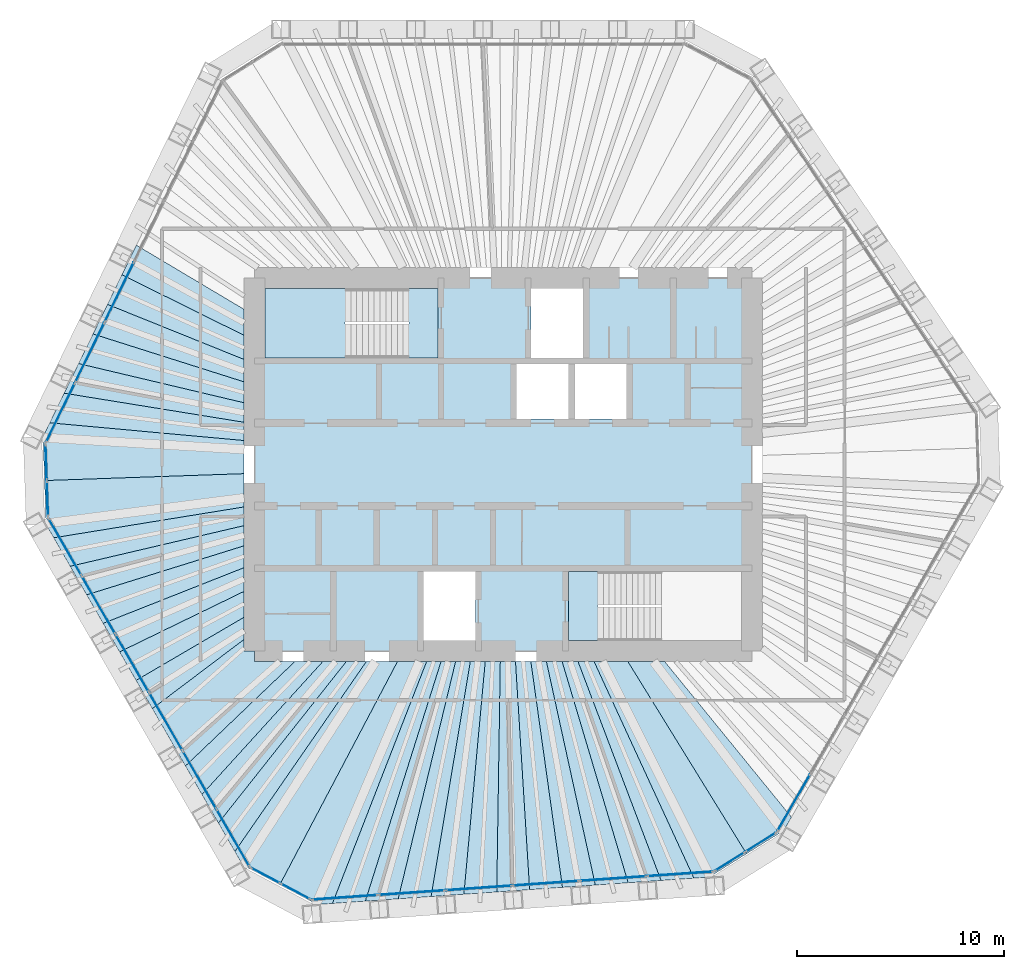
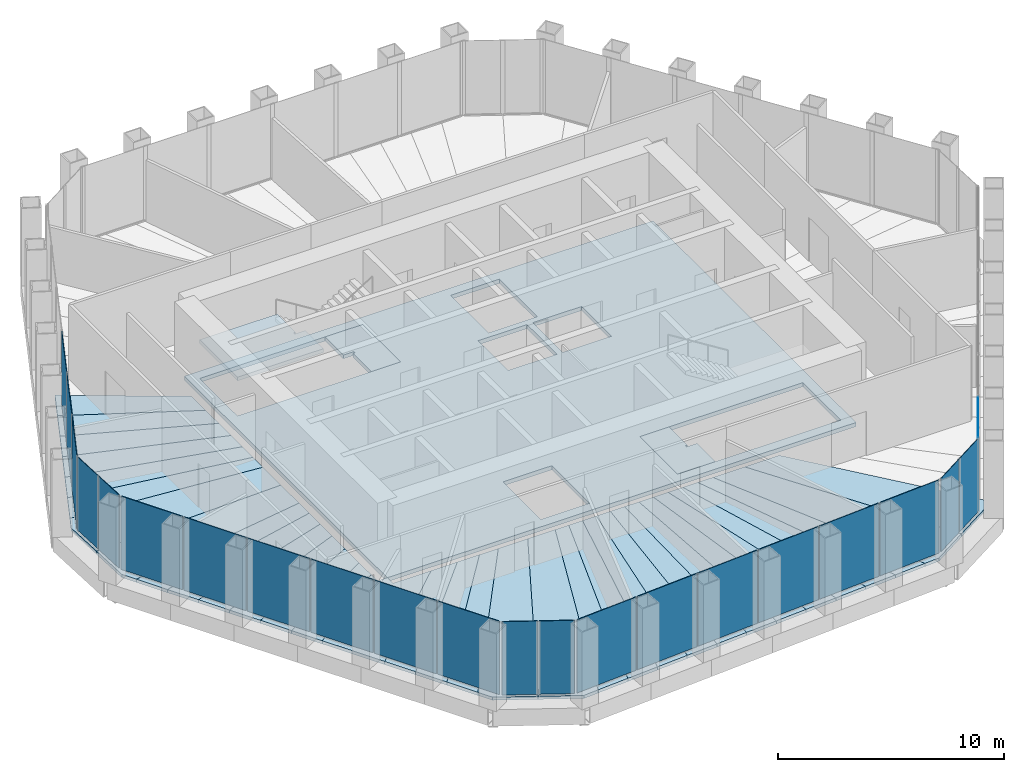
# One storey, part 9 of 14: 37 slabs, 22 plates, 9 elements without a shape of their own.
"""IFC4 building model written with IfcOpenShell, lengths in metres."""

import ifcopenshell
import ifcopenshell.guid

model = None  # the IFC model being written
_history = None  # IfcOwnerHistory: only IFC2X3 demands one
_inside = {}  # id of a spatial element -> (the spatial element, [elements in it])
_under = {}  # id of a project, library or spatial element -> (it, [spatial elements below it])
_declared = {}  # id of a project -> (the project, [libraries it declares])
_typed = {}  # id of a type object -> (the type object, [elements of that type])
_made_of = {}  # id of a material, layer set ... -> (it, [elements and type objects made of it])


def new_model(schema):
    """Start an empty IFC model of exactly this schema.

    Asked for "IFC4X3", IfcOpenShell would pick the latest addendum, in which some entities
    have other attributes; the version numbers below select the first issue.
    IFC2X3 requires an IfcOwnerHistory on every rooted entity: one is made here for all.
    """
    global model, _history
    if schema == "IFC4X3":
        model = ifcopenshell.file(schema_version=(4, 3, 0, 0))
    else:
        model = ifcopenshell.file(schema=schema)
    _inside.clear()
    _under.clear()
    _declared.clear()
    _typed.clear()
    _made_of.clear()
    _history = None
    if model.schema == "IFC2X3":
        org = make("IfcOrganization", Name="unknown")
        user = make(
            "IfcPersonAndOrganization",
            ThePerson=make("IfcPerson", FamilyName="unknown"),
            TheOrganization=org,
        )
        app = make(
            "IfcApplication",
            ApplicationDeveloper=org,
            Version="unknown",
            ApplicationFullName="unknown",
            ApplicationIdentifier="unknown",
        )
        _history = make(
            "IfcOwnerHistory",
            OwningUser=user,
            OwningApplication=app,
            ChangeAction="ADDED",
            CreationDate=0,
        )
    return model


def make(cls, **values):
    """One entity of the class cls with the attributes given. An attribute that is None is left unset."""
    return model.create_entity(
        cls, **{name: value for name, value in values.items() if value is not None}
    )


def rooted(cls, **values):
    """An entity with a GlobalId (a new one), such as an element, a storey or a relation."""
    return make(cls, GlobalId=ifcopenshell.guid.new(), OwnerHistory=_history, **values)


def si_unit(unit_type, name, prefix=None):
    """IfcSIUnit, for example si_unit("LENGTHUNIT", "METRE", prefix="MILLI")."""
    return make("IfcSIUnit", UnitType=unit_type, Prefix=prefix, Name=name)


def assignment(units):
    """IfcUnitAssignment: the units of a project."""
    return None if units is None else make("IfcUnitAssignment", Units=units)


def point(xyz):
    """IfcCartesianPoint."""
    return None if xyz is None else make("IfcCartesianPoint", Coordinates=xyz)


def direction(xyz):
    """IfcDirection."""
    return None if xyz is None else make("IfcDirection", DirectionRatios=xyz)


def frame(location, z_axis=None, x_axis=None):
    """IfcAxis2Placement3D, a coordinate frame: its origin and axes. An axis left out is left unset."""
    return make(
        "IfcAxis2Placement3D",
        Location=point(location),
        Axis=direction(z_axis),
        RefDirection=direction(x_axis),
    )


def frame_2d(location, x_axis=None):
    """IfcAxis2Placement2D, a coordinate frame in the plane: its origin and x axis."""
    return make(
        "IfcAxis2Placement2D", Location=point(location), RefDirection=direction(x_axis)
    )


def origin():
    """The frame at (0, 0, 0) with its axes left unset."""
    return frame((0.0, 0.0, 0.0))


def origin_2d():
    """The frame at (0, 0) in the plane with its x axis left unset."""
    return frame_2d((0.0, 0.0))


def place(relative_to, where):
    """IfcLocalPlacement: puts the frame where relative to a parent placement (None: the world)."""
    return make(
        "IfcLocalPlacement", PlacementRelTo=relative_to, RelativePlacement=where
    )


def context(
    kind, dimensions, precision=None, world=None, true_north=None, identifier=None
):
    """IfcGeometricRepresentationContext, for example the 3D "Model" context."""
    return make(
        "IfcGeometricRepresentationContext",
        ContextIdentifier=identifier,
        ContextType=kind,
        CoordinateSpaceDimension=dimensions,
        Precision=precision,
        WorldCoordinateSystem=world,
        TrueNorth=true_north,
    )


def subcontext(parent, identifier, kind, view, scale=None):
    """IfcGeometricRepresentationSubContext, for example "Body" below "Model"."""
    return make(
        "IfcGeometricRepresentationSubContext",
        ContextIdentifier=identifier,
        ContextType=kind,
        ParentContext=parent,
        TargetScale=scale,
        TargetView=view,
    )


def project(units=None, contexts=None):
    """IfcProject with its units and contexts."""
    return rooted(
        "IfcProject",
        Name="project",
        RepresentationContexts=contexts,
        UnitsInContext=assignment(units),
    )


def spatial(cls, under=None, at=None, **own):
    """A site, building, storey or space (cls), placed at a placement, below another one or the project."""
    s = rooted(cls, ObjectPlacement=at, **own)
    if under is not None:
        _under.setdefault(under.id(), (under, []))[1].append(s)
    return s


def polyline(points):
    """IfcPolyline through the points."""
    return make("IfcPolyline", Points=[point(p) for p in points])


def profile(cls, at=None, kind="AREA", **sizes):
    """A parametric profile (cls). Its sizes go by their IFC names, for example OverallWidth=200.0."""
    return make(cls, ProfileType=kind, Position=at, **sizes)


def rectangle(**sizes):
    """IfcRectangleProfileDef."""
    return profile("IfcRectangleProfileDef", **sizes)


def outline(outer, holes=None, kind="AREA"):
    """IfcArbitraryClosedProfileDef: a profile drawn as a closed curve; with holes, ...WithVoids."""
    if holes is None:
        return make("IfcArbitraryClosedProfileDef", ProfileType=kind, OuterCurve=outer)
    return make(
        "IfcArbitraryProfileDefWithVoids",
        ProfileType=kind,
        OuterCurve=outer,
        InnerCurves=holes,
    )


def extrude(swept, where, along, depth):
    """IfcExtrudedAreaSolid: the profile swept, set in the frame where, extruded along a direction by depth."""
    return make(
        "IfcExtrudedAreaSolid",
        SweptArea=swept,
        Position=where,
        ExtrudedDirection=direction(along),
        Depth=depth,
    )


def shape(context_of_items, identifier, shape_type, items):
    """IfcShapeRepresentation: the items that make up one representation, for example the "Body"."""
    return make(
        "IfcShapeRepresentation",
        ContextOfItems=context_of_items,
        RepresentationIdentifier=identifier,
        RepresentationType=shape_type,
        Items=items,
    )


def material(Name=None, Category=None):
    """IfcMaterial."""
    return make("IfcMaterial", Name=Name, Category=Category)


def layer(
    of_material, thickness, ventilated=None, Name=None, Category=None, Priority=None
):
    """IfcMaterialLayer: one layer of a wall or slab, of a material (None: an air gap)."""
    return make(
        "IfcMaterialLayer",
        Material=of_material,
        LayerThickness=thickness,
        IsVentilated=ventilated,
        Name=Name,
        Category=Category,
        Priority=Priority,
    )


def layer_set(layers, Name=None):
    """IfcMaterialLayerSet."""
    return make("IfcMaterialLayerSet", MaterialLayers=layers, LayerSetName=Name)


def made_of(thing, what):
    """Note that an element or type object is made of a material, layer set ...; save() writes the relation."""
    if what is not None:
        _made_of.setdefault(what.id(), (what, []))[1].append(thing)
    return thing


def type_object(cls, material=None, **own):
    """A type object (cls), such as IfcWallType, which elements share."""
    return made_of(rooted(cls, **own), material)


def element(
    cls,
    number,
    at=None,
    inside=None,
    cuts=None,
    type_object=None,
    material=None,
    context=None,
    identifier="Body",
    shape_type=None,
    held_by="IfcProductDefinitionShape",
    body=None,
    shapes=None,
    **own,
):
    """One element of the class cls, such as IfcWall. Its Tag is "e" and its number.

    at: its placement. inside: the storey or other place that contains it. cuts: it is an
    opening in that element (IfcRelVoidsElement). A single representation is given by context,
    identifier, shape_type and body (its items); several are given by shapes. held_by: the class
    of the entity that holds the representations. save() writes the other relations.
    """
    e = rooted(cls, Tag="e%d" % number, ObjectPlacement=at, **own)
    if body is not None:
        shapes = [shape(context, identifier, shape_type, body)]
    if shapes is not None:
        e.Representation = make(held_by, Representations=shapes)
    if inside is not None:
        _inside.setdefault(inside.id(), (inside, []))[1].append(e)
    if cuts is not None:
        rooted(
            "IfcRelVoidsElement", RelatingBuildingElement=cuts, RelatedOpeningElement=e
        )
    if type_object is not None:
        _typed.setdefault(type_object.id(), (type_object, []))[1].append(e)
    return made_of(e, material)


def aggregate(whole, parts):
    """IfcRelAggregates: a whole, such as a stair, and the parts it consists of."""
    return rooted("IfcRelAggregates", RelatingObject=whole, RelatedObjects=parts)


def save(model, path):
    """Write the relations noted so far, then the file.

    IfcRelAggregates (storeys below a building ...), IfcRelContainedInSpatialStructure (elements
    in a storey), IfcRelDefinesByType, IfcRelAssociatesMaterial and IfcRelDeclares: one each for
    every whole, place, type object, material and project.
    """
    for whole, parts in _under.values():
        aggregate(whole, parts)
    for where, things in _inside.values():
        rooted(
            "IfcRelContainedInSpatialStructure",
            RelatedElements=things,
            RelatingStructure=where,
        )
    for kind, things in _typed.values():
        rooted("IfcRelDefinesByType", RelatedObjects=things, RelatingType=kind)
    for what, things in _made_of.values():
        rooted("IfcRelAssociatesMaterial", RelatedObjects=things, RelatingMaterial=what)
    for by, libraries in _declared.values():
        rooted("IfcRelDeclares", RelatingContext=by, RelatedDefinitions=libraries)
    model.write(path)


model = new_model("IFC4")

# Units and contexts
model_context = context("Model", 3, precision=1e-05, world=origin(), true_north=direction((0.0, 1.0)))
body_context = subcontext(model_context, "Body", "Model", "MODEL_VIEW")
ifc_project = project(units=[si_unit("LENGTHUNIT", "METRE"), si_unit("AREAUNIT", "SQUARE_METRE"), si_unit("VOLUMEUNIT", "CUBIC_METRE"), si_unit("PLANEANGLEUNIT", "RADIAN"), si_unit("MASSUNIT", "GRAM", prefix="KILO")], contexts=[model_context])

# Site, building, storey
site_placement = place(None, origin())
site = spatial("IfcSite", under=ifc_project, at=site_placement, CompositionType="ELEMENT")
building_placement = place(site_placement, origin())
building = spatial("IfcBuilding", under=site, at=building_placement, Name="Qingtian Harvest Tower", CompositionType="ELEMENT")
storey_placement = place(building_placement, frame((0.0, 0.0, 274.60009765625)))
storey = spatial("IfcBuildingStorey", under=building, at=storey_placement, Name="L60", CompositionType="ELEMENT", Elevation=274.60009765625)

# Slabs
ifc_material_1 = material(Name="Concrete fc' 35 MPa", Category="concrete")
ifc_layer_1 = layer(ifc_material_1, 0.169921875)
ifc_layer_set_1 = layer_set([ifc_layer_1], Name="Composite floor slab FS17 170")
slab_type_1 = type_object("IfcSlabType", Name="Composite floor slab FS17 170", PredefinedType="FLOOR", material=ifc_layer_set_1)
slab_1_placement = place(storey_placement, frame((0.0, 0.0, -0.170166015625)))
element("IfcSlab", 1, at=slab_1_placement, inside=storey, type_object=slab_type_1, Name="Floor slab L60 panel D01", PredefinedType="FLOOR", context=body_context, shape_type="SweptSolid", body=[
    extrude(outline(polyline([(-22.1396484375, -0.7734375), (-12.5, -0.4404296875), (-12.5, -2.044921875), (-21.693603515625, -3.53564453125), (-22.06591796875, -2.890869140625), (-22.1396484375, -0.7734375)])), origin(), (0.0, 0.0, 1.0), 0.170166015625),
])
slab_2_placement = place(storey_placement, frame((0.0, 0.0, -0.170166015625)))
element("IfcSlab", 2, at=slab_2_placement, inside=storey, type_object=slab_type_1, Name="Floor slab L60 panel D02", PredefinedType="FLOOR", context=body_context, shape_type="SweptSolid", body=[
    extrude(outline(polyline([(-12.5, -2.94677734375), (-20.898681640625, -4.912109375), (-21.693603515625, -3.53564453125), (-12.5, -2.044921875), (-12.5, -2.94677734375)])), origin(), (0.0, 0.0, 1.0), 0.170166015625),
])
slab_3_placement = place(storey_placement, frame((0.0, 0.0, -0.170166015625)))
element("IfcSlab", 3, at=slab_3_placement, inside=storey, type_object=slab_type_1, Name="Floor slab L60 panel D03", PredefinedType="FLOOR", context=body_context, shape_type="SweptSolid", body=[
    extrude(outline(polyline([(-12.5, -3.919921875), (-20.10400390625, -6.288818359375), (-20.898681640625, -4.912109375), (-12.5, -2.94677734375), (-12.5, -3.919921875)])), origin(), (0.0, 0.0, 1.0), 0.170166015625),
])
slab_4_placement = place(storey_placement, frame((0.0, 0.0, -0.170166015625)))
element("IfcSlab", 4, at=slab_4_placement, inside=storey, type_object=slab_type_1, Name="Floor slab L60 panel D04", PredefinedType="FLOOR", context=body_context, shape_type="SweptSolid", body=[
    extrude(outline(polyline([(-12.5, -4.973388671875), (-19.30908203125, -7.66552734375), (-20.10400390625, -6.288818359375), (-12.5, -3.919921875), (-12.5, -4.973388671875)])), origin(), (0.0, 0.0, 1.0), 0.170166015625),
])
slab_5_placement = place(storey_placement, frame((0.0, 0.0, -0.170166015625)))
element("IfcSlab", 5, at=slab_5_placement, inside=storey, type_object=slab_type_1, Name="Floor slab L60 panel D05", PredefinedType="FLOOR", context=body_context, shape_type="SweptSolid", body=[
    extrude(outline(polyline([(-12.5, -6.1171875), (-18.51416015625, -9.042236328125), (-19.30908203125, -7.66552734375), (-12.5, -4.973388671875), (-12.5, -6.1171875)])), origin(), (0.0, 0.0, 1.0), 0.170166015625),
])
slab_6_placement = place(storey_placement, frame((0.0, 0.0, -0.170166015625)))
element("IfcSlab", 6, at=slab_6_placement, inside=storey, type_object=slab_type_1, Name="Floor slab L60 panel D06", PredefinedType="FLOOR", context=body_context, shape_type="SweptSolid", body=[
    extrude(outline(polyline([(-12.5, -7.364013671875), (-17.719482421875, -10.419189453125), (-18.51416015625, -9.042236328125), (-12.5, -6.1171875), (-12.5, -7.364013671875)])), origin(), (0.0, 0.0, 1.0), 0.170166015625),
])
slab_7_placement = place(storey_placement, frame((0.0, 0.0, -0.170166015625)))
element("IfcSlab", 7, at=slab_7_placement, inside=storey, type_object=slab_type_1, Name="Floor slab L60 panel D07", PredefinedType="FLOOR", context=body_context, shape_type="SweptSolid", body=[
    extrude(outline(polyline([(-12.5, -8.432373046875), (-16.93359375, -11.780029296875), (-17.719482421875, -10.419189453125), (-12.5, -7.364013671875), (-12.5, -8.432373046875)])), origin(), (0.0, 0.0, 1.0), 0.170166015625),
])
slab_8_placement = place(storey_placement, frame((0.0, 0.0, -0.170166015625)))
element("IfcSlab", 8, at=slab_8_placement, inside=storey, type_object=slab_type_1, Name="Floor slab L60 panel D09", PredefinedType="FLOOR", context=body_context, shape_type="SweptSolid", body=[
    extrude(outline(polyline([(-15.336181640625, -14.547119140625), (-16.93359375, -11.780029296875), (-12.5, -8.432373046875), (-12.5, -9.0), (-12.0, -9.0), (-12.0, -9.5), (-10.048828125, -9.5), (-15.336181640625, -14.547119140625)])), origin(), (0.0, 0.0, 1.0), 0.170166015625),
])
slab_9_placement = place(storey_placement, frame((0.0, 0.0, -0.170166015625)))
element("IfcSlab", 9, at=slab_9_placement, inside=storey, type_object=slab_type_1, Name="Floor slab L60 panel D10", PredefinedType="FLOOR", context=body_context, shape_type="SweptSolid", body=[
    extrude(outline(polyline([(-8.70068359375, -9.5), (-14.541259765625, -15.924072265625), (-15.336181640625, -14.547119140625), (-10.048828125, -9.5), (-8.70068359375, -9.5)])), origin(), (0.0, 0.0, 1.0), 0.170166015625),
])
slab_10_placement = place(storey_placement, frame((0.0, 0.0, -0.170166015625)))
element("IfcSlab", 10, at=slab_10_placement, inside=storey, type_object=slab_type_1, Name="Floor slab L60 panel D11", PredefinedType="FLOOR", context=body_context, shape_type="SweptSolid", body=[
    extrude(outline(polyline([(-7.568359375, -9.5), (-13.746337890625, -17.30078125), (-14.541259765625, -15.924072265625), (-8.70068359375, -9.5), (-7.568359375, -9.5)])), origin(), (0.0, 0.0, 1.0), 0.170166015625),
])
slab_11_placement = place(storey_placement, frame((0.0, 0.0, -0.170166015625)))
element("IfcSlab", 11, at=slab_11_placement, inside=storey, type_object=slab_type_1, Name="Floor slab L60 panel D12", PredefinedType="FLOOR", context=body_context, shape_type="SweptSolid", body=[
    extrude(outline(polyline([(-6.603515625, -9.5), (-12.951416015625, -18.677734375), (-13.746337890625, -17.30078125), (-7.568359375, -9.5), (-6.603515625, -9.5)])), origin(), (0.0, 0.0, 1.0), 0.170166015625),
])
slab_12_placement = place(storey_placement, frame((0.0, 0.0, -0.170166015625)))
element("IfcSlab", 12, at=slab_12_placement, inside=storey, type_object=slab_type_1, Name="Floor slab L60 panel D13", PredefinedType="FLOOR", context=body_context, shape_type="SweptSolid", body=[
    extrude(outline(polyline([(-6.603515625, -9.5), (-5.10009765625, -9.5), (-10.783447265625, -20.277099609375), (-12.5791015625, -19.322509765625), (-12.951416015625, -18.677734375), (-6.603515625, -9.5)])), origin(), (0.0, 0.0, 1.0), 0.170166015625),
])
slab_13_placement = place(storey_placement, frame((0.0, 0.0, -0.170166015625)))
element("IfcSlab", 13, at=slab_13_placement, inside=storey, type_object=slab_type_1, Name="Floor slab L60 panel D14", PredefinedType="FLOOR", context=body_context, shape_type="SweptSolid", body=[
    extrude(outline(polyline([(-5.10009765625, -9.5), (-3.696044921875, -9.5), (-8.24267578125, -21.181640625), (-8.98486328125, -21.2333984375), (-10.783447265625, -20.277099609375), (-5.10009765625, -9.5)])), origin(), (0.0, 0.0, 1.0), 0.170166015625),
])
slab_14_placement = place(storey_placement, frame((0.0, 0.0, -0.170166015625)))
element("IfcSlab", 14, at=slab_14_placement, inside=storey, type_object=slab_type_1, Name="Floor slab L60 panel D15", PredefinedType="FLOOR", context=body_context, shape_type="SweptSolid", body=[
    extrude(outline(polyline([(-3.00048828125, -9.5), (-6.656982421875, -21.07080078125), (-8.24267578125, -21.181640625), (-3.696044921875, -9.5), (-3.00048828125, -9.5)])), origin(), (0.0, 0.0, 1.0), 0.170166015625),
])
slab_15_placement = place(storey_placement, frame((0.0, 0.0, -0.170166015625)))
element("IfcSlab", 15, at=slab_15_placement, inside=storey, type_object=slab_type_1, Name="Floor slab L60 panel D16", PredefinedType="FLOOR", context=body_context, shape_type="SweptSolid", body=[
    extrude(outline(polyline([(-2.297607421875, -9.5), (-5.0712890625, -20.959716796875), (-6.656982421875, -21.07080078125), (-3.00048828125, -9.5), (-2.297607421875, -9.5)])), origin(), (0.0, 0.0, 1.0), 0.170166015625),
])
slab_16_placement = place(storey_placement, frame((0.0, 0.0, -0.170166015625)))
element("IfcSlab", 16, at=slab_16_placement, inside=storey, type_object=slab_type_1, Name="Floor slab L60 panel D17", PredefinedType="FLOOR", context=body_context, shape_type="SweptSolid", body=[
    extrude(outline(polyline([(-1.58740234375, -9.5), (-3.485595703125, -20.848876953125), (-5.0712890625, -20.959716796875), (-2.297607421875, -9.5), (-1.58740234375, -9.5)])), origin(), (0.0, 0.0, 1.0), 0.170166015625),
])
slab_17_placement = place(storey_placement, frame((0.0, 0.0, -0.170166015625)))
element("IfcSlab", 17, at=slab_17_placement, inside=storey, type_object=slab_type_1, Name="Floor slab L60 panel D18", PredefinedType="FLOOR", context=body_context, shape_type="SweptSolid", body=[
    extrude(outline(polyline([(-0.869384765625, -9.5), (-1.89990234375, -20.738037109375), (-3.485595703125, -20.848876953125), (-1.58740234375, -9.5), (-0.869384765625, -9.5)])), origin(), (0.0, 0.0, 1.0), 0.170166015625),
])
slab_18_placement = place(storey_placement, frame((0.0, 0.0, -0.170166015625)))
element("IfcSlab", 18, at=slab_18_placement, inside=storey, type_object=slab_type_1, Name="Floor slab L60 panel D19", PredefinedType="FLOOR", context=body_context, shape_type="SweptSolid", body=[
    extrude(outline(polyline([(-0.143798828125, -9.5), (-0.314208984375, -20.627197265625), (-1.89990234375, -20.738037109375), (-0.869384765625, -9.5), (-0.143798828125, -9.5)])), origin(), (0.0, 0.0, 1.0), 0.170166015625),
])
slab_19_placement = place(storey_placement, frame((0.0, 0.0, -0.170166015625)))
element("IfcSlab", 19, at=slab_19_placement, inside=storey, type_object=slab_type_1, Name="Floor slab L60 panel D20", PredefinedType="FLOOR", context=body_context, shape_type="SweptSolid", body=[
    extrude(outline(polyline([(0.58984375, -9.5), (1.271728515625, -20.516357421875), (-0.314208984375, -20.627197265625), (-0.143798828125, -9.5), (0.58984375, -9.5)])), origin(), (0.0, 0.0, 1.0), 0.170166015625),
])
slab_20_placement = place(storey_placement, frame((0.0, 0.0, -0.170166015625)))
element("IfcSlab", 20, at=slab_20_placement, inside=storey, type_object=slab_type_1, Name="Floor slab L60 panel D21", PredefinedType="FLOOR", context=body_context, shape_type="SweptSolid", body=[
    extrude(outline(polyline([(1.331298828125, -9.5), (2.857421875, -20.4052734375), (1.271728515625, -20.516357421875), (0.58984375, -9.5), (1.331298828125, -9.5)])), origin(), (0.0, 0.0, 1.0), 0.170166015625),
])
slab_21_placement = place(storey_placement, frame((0.0, 0.0, -0.170166015625)))
element("IfcSlab", 21, at=slab_21_placement, inside=storey, type_object=slab_type_1, Name="Floor slab L60 panel D22", PredefinedType="FLOOR", context=body_context, shape_type="SweptSolid", body=[
    extrude(outline(polyline([(2.080810546875, -9.5), (4.443115234375, -20.29443359375), (2.857421875, -20.4052734375), (1.331298828125, -9.5), (2.080810546875, -9.5)])), origin(), (0.0, 0.0, 1.0), 0.170166015625),
])
slab_22_placement = place(storey_placement, frame((0.0, 0.0, -0.170166015625)))
element("IfcSlab", 22, at=slab_22_placement, inside=storey, type_object=slab_type_1, Name="Floor slab L60 panel D23", PredefinedType="FLOOR", context=body_context, shape_type="SweptSolid", body=[
    extrude(outline(polyline([(2.838623046875, -9.5), (6.02880859375, -20.18359375), (4.443115234375, -20.29443359375), (2.080810546875, -9.5), (2.838623046875, -9.5)])), origin(), (0.0, 0.0, 1.0), 0.170166015625),
])
slab_23_placement = place(storey_placement, frame((0.0, 0.0, -0.170166015625)))
element("IfcSlab", 23, at=slab_23_placement, inside=storey, type_object=slab_type_1, Name="Floor slab L60 panel D24", PredefinedType="FLOOR", context=body_context, shape_type="SweptSolid", body=[
    extrude(outline(polyline([(3.604736328125, -9.5), (7.614501953125, -20.07275390625), (6.02880859375, -20.18359375), (2.838623046875, -9.5), (3.604736328125, -9.5)])), origin(), (0.0, 0.0, 1.0), 0.170166015625),
])
slab_24_placement = place(storey_placement, frame((0.0, 0.0, -0.170166015625)))
element("IfcSlab", 24, at=slab_24_placement, inside=storey, type_object=slab_type_1, Name="Floor slab L60 panel D25", PredefinedType="FLOOR", context=body_context, shape_type="SweptSolid", body=[
    extrude(outline(polyline([(4.379638671875, -9.5), (9.2001953125, -19.9619140625), (7.614501953125, -20.07275390625), (3.604736328125, -9.5), (4.379638671875, -9.5)])), origin(), (0.0, 0.0, 1.0), 0.170166015625),
])
slab_25_placement = place(storey_placement, frame((0.0, 0.0, -0.170166015625)))
element("IfcSlab", 25, at=slab_25_placement, inside=storey, type_object=slab_type_1, Name="Floor slab L60 panel D26", PredefinedType="FLOOR", context=body_context, shape_type="SweptSolid", body=[
    extrude(outline(polyline([(4.379638671875, -9.5), (6.0087890625, -9.5), (11.74169921875, -18.78564453125), (9.9423828125, -19.909912109375), (9.2001953125, -19.9619140625), (4.379638671875, -9.5)])), origin(), (0.0, 0.0, 1.0), 0.170166015625),
])
slab_26_placement = place(storey_placement, frame((0.0, 0.0, -0.170166015625)))
element("IfcSlab", 26, at=slab_26_placement, inside=storey, type_object=slab_type_1, Name="Floor slab L60 panel D27", PredefinedType="FLOOR", context=body_context, shape_type="SweptSolid", body=[
    extrude(outline(polyline([(6.0087890625, -9.5), (7.78515625, -9.5), (13.908935546875, -17.01904296875), (13.53662109375, -17.6640625), (11.74169921875, -18.78564453125), (6.0087890625, -9.5)])), origin(), (0.0, 0.0, 1.0), 0.170166015625),
])
slab_27_placement = place(storey_placement, frame((0.0, 0.0, -0.170166015625)))
element("IfcSlab", 27, at=slab_27_placement, inside=storey, type_object=slab_type_1, Name="Floor slab L60 panel D72", PredefinedType="FLOOR", context=body_context, shape_type="SweptSolid", body=[
    extrude(outline(polyline([(-12.5, 6.23095703125), (-18.403076171875, 9.157470703125), (-17.706298828125, 10.58642578125), (-12.5, 7.48583984375), (-12.5, 6.23095703125)])), origin(), (0.0, 0.0, 1.0), 0.170166015625),
])
slab_28_placement = place(storey_placement, frame((0.0, 0.0, -0.170166015625)))
element("IfcSlab", 28, at=slab_28_placement, inside=storey, type_object=slab_type_1, Name="Floor slab L60 panel D73", PredefinedType="FLOOR", context=body_context, shape_type="SweptSolid", body=[
    extrude(outline(polyline([(-12.5, 5.06787109375), (-19.10009765625, 7.728759765625), (-18.403076171875, 9.157470703125), (-12.5, 6.23095703125), (-12.5, 5.06787109375)])), origin(), (0.0, 0.0, 1.0), 0.170166015625),
])
slab_29_placement = place(storey_placement, frame((0.0, 0.0, -0.170166015625)))
element("IfcSlab", 29, at=slab_29_placement, inside=storey, type_object=slab_type_1, Name="Floor slab L60 panel D74", PredefinedType="FLOOR", context=body_context, shape_type="SweptSolid", body=[
    extrude(outline(polyline([(-12.5, 3.986572265625), (-19.796875, 6.2998046875), (-19.10009765625, 7.728759765625), (-12.5, 5.06787109375), (-12.5, 3.986572265625)])), origin(), (0.0, 0.0, 1.0), 0.170166015625),
])
slab_30_placement = place(storey_placement, frame((0.0, 0.0, -0.170166015625)))
element("IfcSlab", 30, at=slab_30_placement, inside=storey, type_object=slab_type_1, Name="Floor slab L60 panel D75", PredefinedType="FLOOR", context=body_context, shape_type="SweptSolid", body=[
    extrude(outline(polyline([(-12.5, 2.97900390625), (-20.49365234375, 4.87109375), (-19.796875, 6.2998046875), (-12.5, 3.986572265625), (-12.5, 2.97900390625)])), origin(), (0.0, 0.0, 1.0), 0.170166015625),
])
slab_31_placement = place(storey_placement, frame((0.0, 0.0, -0.170166015625)))
element("IfcSlab", 31, at=slab_31_placement, inside=storey, type_object=slab_type_1, Name="Floor slab L60 panel D76", PredefinedType="FLOOR", context=body_context, shape_type="SweptSolid", body=[
    extrude(outline(polyline([(-12.5, 2.037841796875), (-21.190673828125, 3.4423828125), (-20.49365234375, 4.87109375), (-12.5, 2.97900390625), (-12.5, 2.037841796875)])), origin(), (0.0, 0.0, 1.0), 0.170166015625),
])
slab_32_placement = place(storey_placement, frame((0.0, 0.0, -0.170166015625)))
element("IfcSlab", 32, at=slab_32_placement, inside=storey, type_object=slab_type_1, Name="Floor slab L60 panel D77", PredefinedType="FLOOR", context=body_context, shape_type="SweptSolid", body=[
    extrude(outline(polyline([(-12.5, 1.156494140625), (-21.887451171875, 2.013671875), (-21.190673828125, 3.4423828125), (-12.5, 2.037841796875), (-12.5, 1.156494140625)])), origin(), (0.0, 0.0, 1.0), 0.170166015625),
])
slab_33_placement = place(storey_placement, frame((0.0, 0.0, -0.170166015625)))
element("IfcSlab", 33, at=slab_33_placement, inside=storey, type_object=slab_type_1, Name="Floor slab L60 panel D78", PredefinedType="FLOOR", context=body_context, shape_type="SweptSolid", body=[
    extrude(outline(polyline([(-12.5, 1.156494140625), (-12.5, -0.4404296875), (-22.1396484375, -0.7734375), (-22.213623046875, 1.3447265625), (-21.887451171875, 2.013671875), (-12.5, 1.156494140625)])), origin(), (0.0, 0.0, 1.0), 0.170166015625),
])
ifc_material_2 = material(Name="Concrete fc' 35 MPa", Category="concrete")
ifc_layer_2 = layer(ifc_material_2, 0.219970703125)
ifc_layer_set_2 = layer_set([ifc_layer_2], Name="Core floor slab CS22 220")
slab_type_2 = type_object("IfcSlabType", Name="Core floor slab CS22 220", PredefinedType="FLOOR", material=ifc_layer_set_2)
slab_34_placement = place(storey_placement, frame((0.0, 0.0, -0.22021484375)))
element("IfcSlab", 34, at=slab_34_placement, inside=storey, type_object=slab_type_2, Name="Core floor slab L60", PredefinedType="FLOOR", context=body_context, shape_type="SweptSolid", body=[
    extrude(outline(polyline([(-12.0, -9.0), (12.0, -9.0), (12.0, 9.0), (-12.0, 9.0), (-12.0, -9.0)]), holes=[polyline([(-11.5, 5.14990234375), (-3.14990234375, 5.14990234375), (-3.14990234375, 8.5), (-11.5, 8.5), (-11.5, 5.14990234375)]), polyline([(3.14990234375, -8.5), (11.5, -8.5), (11.5, -5.14990234375), (3.14990234375, -5.14990234375), (3.14990234375, -8.5)]), polyline([(1.35009765625, 5.14990234375), (3.85009765625, 5.14990234375), (3.85009765625, 8.5), (1.35009765625, 8.5), (1.35009765625, 5.14990234375)]), polyline([(-3.85009765625, -8.5), (-1.35009765625, -8.5), (-1.35009765625, -5.14990234375), (-3.85009765625, -5.14990234375), (-3.85009765625, -8.5)]), polyline([(0.64990234375, 2.199951171875), (3.14990234375, 2.199951171875), (3.14990234375, 4.85009765625), (0.64990234375, 4.85009765625), (0.64990234375, 2.199951171875)]), polyline([(3.449951171875, 2.199951171875), (5.949951171875, 2.199951171875), (5.949951171875, 4.85009765625), (3.449951171875, 4.85009765625), (3.449951171875, 2.199951171875)])]), origin(), (0.0, 0.0, 1.0), 0.22021484375),
])

# Curtain wall, plate
ifc_material_3 = material(Name="Bronze-anodised aluminium curtain wall", Category="aluminium")
curtain_wall_type = type_object("IfcCurtainWallType", Name="Curtain wall CW5 upper office", PredefinedType="USERDEFINED", material=ifc_material_3)
curtain_wall_1_placement = place(storey_placement, origin())
curtain_wall_1 = element("IfcCurtainWall", 35, at=curtain_wall_1_placement, inside=storey, type_object=curtain_wall_type, Name="Curtain wall CW5 L60 SE0-5", ObjectType="RECESSED CURTAIN WALL", PredefinedType="USERDEFINED")
ifc_material_4 = material(Name="Bronze-tinted laminated insulating glass", Category="glass")
ifc_layer_3 = layer(ifc_material_4, 0.030029296875)
ifc_layer_set_3 = layer_set([ifc_layer_3], Name="Glazed panel CWP tinted IGU")
plate_type = type_object("IfcPlateType", Name="Glazed panel CWP tinted IGU", PredefinedType="CURTAIN_PANEL", material=ifc_layer_set_3)
plate_1_placement = place(storey_placement, frame((14.017578125, -16.321044921875, 0.06494140625), z_axis=(0.0, 0.0, 1.0), x_axis=(-0.5, -0.866025403784, 0.0)))
plate_1 = element("IfcPlate", 36, at=plate_1_placement, type_object=plate_type, Name="CW5 panel 6.1", PredefinedType="CURTAIN_PANEL", context=body_context, shape_type="SweptSolid", body=[
    extrude(rectangle(XDim=3.150634765625, YDim=0.030029296875, at=origin_2d()), origin(), (0.0, 0.0, 1.0), 3.965087890625),
])
aggregate(curtain_wall_1, [plate_1])

# Curtain wall, plates
curtain_wall_2_placement = place(storey_placement, origin())
curtain_wall_2 = element("IfcCurtainWall", 37, at=curtain_wall_2_placement, inside=storey, type_object=curtain_wall_type, Name="Curtain wall CW5 L60 SEC", ObjectType="RECESSED CURTAIN WALL", PredefinedType="USERDEFINED")
plate_2_placement = place(storey_placement, frame((12.42431640625, -18.224609375, 0.06494140625), z_axis=(0.0, 0.0, 1.0), x_axis=(-0.848048096156, -0.529919264233, 0.0)))
plate_2 = element("IfcPlate", 38, at=plate_2_placement, type_object=plate_type, Name="CW5 panel 1.1", PredefinedType="CURTAIN_PANEL", context=body_context, shape_type="SweptSolid", body=[
    extrude(rectangle(XDim=1.69287109375, YDim=0.030029296875, at=origin_2d()), origin(), (0.0, 0.0, 1.0), 3.965087890625),
])
plate_3_placement = place(storey_placement, frame((10.93359375, -19.156005859375, 0.06494140625), z_axis=(0.0, 0.0, 1.0), x_axis=(-0.848048096156, -0.529919264233, 0.0)))
plate_3 = element("IfcPlate", 39, at=plate_3_placement, type_object=plate_type, Name="CW5 panel 2.1", PredefinedType="CURTAIN_PANEL", context=body_context, shape_type="SweptSolid", body=[
    extrude(rectangle(XDim=1.69287109375, YDim=0.030029296875, at=origin_2d()), origin(), (0.0, 0.0, 1.0), 3.965087890625),
])
aggregate(curtain_wall_2, [plate_2, plate_3])

curtain_wall_3_placement = place(storey_placement, origin())
curtain_wall_3 = element("IfcCurtainWall", 40, at=curtain_wall_3_placement, inside=storey, type_object=curtain_wall_type, Name="Curtain wall CW5 L60 S0-5", ObjectType="RECESSED CURTAIN WALL", PredefinedType="USERDEFINED")
plate_4_placement = place(storey_placement, frame((8.5244140625, -19.75341796875, 0.06494140625), z_axis=(0.0, 0.0, 1.0), x_axis=(-0.99756405026, -0.069756473744, 0.0)))
plate_4 = element("IfcPlate", 41, at=plate_4_placement, type_object=plate_type, Name="CW5 panel 1.1", PredefinedType="CURTAIN_PANEL", context=body_context, shape_type="SweptSolid", body=[
    extrude(rectangle(XDim=3.150634765625, YDim=0.030029296875, at=origin_2d()), origin(), (0.0, 0.0, 1.0), 3.965087890625),
])
plate_5_placement = place(storey_placement, frame((5.300537109375, -19.97900390625, 0.06494140625), z_axis=(0.0, 0.0, 1.0), x_axis=(-0.99756405026, -0.069756473744, 0.0)))
plate_5 = element("IfcPlate", 42, at=plate_5_placement, type_object=plate_type, Name="CW5 panel 2.1", PredefinedType="CURTAIN_PANEL", context=body_context, shape_type="SweptSolid", body=[
    extrude(rectangle(XDim=3.18310546875, YDim=0.030029296875, at=origin_2d()), origin(), (0.0, 0.0, 1.0), 3.965087890625),
])
plate_6_placement = place(storey_placement, frame((2.060302734375, -20.20556640625, 0.06494140625), z_axis=(0.0, 0.0, 1.0), x_axis=(-0.99756405026, -0.069756473744, 0.0)))
plate_6 = element("IfcPlate", 43, at=plate_6_placement, type_object=plate_type, Name="CW5 panel 3.1", PredefinedType="CURTAIN_PANEL", context=body_context, shape_type="SweptSolid", body=[
    extrude(rectangle(XDim=3.18310546875, YDim=0.030029296875, at=origin_2d()), origin(), (0.0, 0.0, 1.0), 3.965087890625),
])
plate_7_placement = place(storey_placement, frame((-1.1796875, -20.43212890625, 0.06494140625), z_axis=(0.0, 0.0, 1.0), x_axis=(-0.99756405026, -0.069756473744, 0.0)))
plate_7 = element("IfcPlate", 44, at=plate_7_placement, type_object=plate_type, Name="CW5 panel 4.1", PredefinedType="CURTAIN_PANEL", context=body_context, shape_type="SweptSolid", body=[
    extrude(rectangle(XDim=3.18310546875, YDim=0.030029296875, at=origin_2d()), origin(), (0.0, 0.0, 1.0), 3.965087890625),
])
plate_8_placement = place(storey_placement, frame((-4.419921875, -20.65869140625, 0.06494140625), z_axis=(0.0, 0.0, 1.0), x_axis=(-0.99756405026, -0.069756473744, 0.0)))
plate_8 = element("IfcPlate", 45, at=plate_8_placement, type_object=plate_type, Name="CW5 panel 5.1", PredefinedType="CURTAIN_PANEL", context=body_context, shape_type="SweptSolid", body=[
    extrude(rectangle(XDim=3.18310546875, YDim=0.030029296875, at=origin_2d()), origin(), (0.0, 0.0, 1.0), 3.965087890625),
])
plate_9_placement = place(storey_placement, frame((-7.643798828125, -20.884033203125, 0.06494140625), z_axis=(0.0, 0.0, 1.0), x_axis=(-0.99756405026, -0.069756473744, 0.0)))
plate_9 = element("IfcPlate", 46, at=plate_9_placement, type_object=plate_type, Name="CW5 panel 6.1", PredefinedType="CURTAIN_PANEL", context=body_context, shape_type="SweptSolid", body=[
    extrude(rectangle(XDim=3.150634765625, YDim=0.030029296875, at=origin_2d()), origin(), (0.0, 0.0, 1.0), 3.965087890625),
])
aggregate(curtain_wall_3, [plate_4, plate_5, plate_6, plate_7, plate_8, plate_9])

curtain_wall_4_placement = place(storey_placement, origin())
curtain_wall_4 = element("IfcCurtainWall", 47, at=curtain_wall_4_placement, inside=storey, type_object=curtain_wall_type, Name="Curtain wall CW5 L60 SC", ObjectType="RECESSED CURTAIN WALL", PredefinedType="USERDEFINED")
plate_10_placement = place(storey_placement, frame((-10.029296875, -20.60009765625, 0.06494140625), z_axis=(0.0, 0.0, 1.0), x_axis=(-0.882947592859, 0.469471562786, 0.0)))
plate_10 = element("IfcPlate", 48, at=plate_10_placement, type_object=plate_type, Name="CW5 panel 1.1", PredefinedType="CURTAIN_PANEL", context=body_context, shape_type="SweptSolid", body=[
    extrude(rectangle(XDim=1.56689453125, YDim=0.030029296875, at=origin_2d()), origin(), (0.0, 0.0, 1.0), 3.965087890625),
])
plate_11_placement = place(storey_placement, frame((-11.469970703125, -19.833984375, 0.06494140625), z_axis=(0.0, 0.0, 1.0), x_axis=(-0.882947592859, 0.469471562786, 0.0)))
plate_11 = element("IfcPlate", 49, at=plate_11_placement, type_object=plate_type, Name="CW5 panel 2.1", PredefinedType="CURTAIN_PANEL", context=body_context, shape_type="SweptSolid", body=[
    extrude(rectangle(XDim=1.56689453125, YDim=0.030029296875, at=origin_2d()), origin(), (0.0, 0.0, 1.0), 3.965087890625),
])
aggregate(curtain_wall_4, [plate_10, plate_11])

curtain_wall_5_placement = place(storey_placement, origin())
curtain_wall_5 = element("IfcCurtainWall", 50, at=curtain_wall_5_placement, inside=storey, type_object=curtain_wall_type, Name="Curtain wall CW5 L60 SW0-5", ObjectType="RECESSED CURTAIN WALL", PredefinedType="USERDEFINED")
plate_12_placement = place(storey_placement, frame((-13.039306640625, -18.01513671875, 0.06494140625), z_axis=(0.0, 0.0, 1.0), x_axis=(-0.5, 0.866025403784, 0.0)))
plate_12 = element("IfcPlate", 51, at=plate_12_placement, type_object=plate_type, Name="CW5 panel 1.1", PredefinedType="CURTAIN_PANEL", context=body_context, shape_type="SweptSolid", body=[
    extrude(rectangle(XDim=3.150634765625, YDim=0.030029296875, at=origin_2d()), origin(), (0.0, 0.0, 1.0), 3.965087890625),
])
plate_13_placement = place(storey_placement, frame((-14.6552734375, -15.216552734375, 0.06494140625), z_axis=(0.0, 0.0, 1.0), x_axis=(-0.5, 0.866025403784, 0.0)))
plate_13 = element("IfcPlate", 52, at=plate_13_placement, type_object=plate_type, Name="CW5 panel 2.1", PredefinedType="CURTAIN_PANEL", context=body_context, shape_type="SweptSolid", body=[
    extrude(rectangle(XDim=3.18310546875, YDim=0.030029296875, at=origin_2d()), origin(), (0.0, 0.0, 1.0), 3.965087890625),
])
plate_14_placement = place(storey_placement, frame((-16.279296875, -12.403564453125, 0.06494140625), z_axis=(0.0, 0.0, 1.0), x_axis=(-0.5, 0.866025403784, 0.0)))
plate_14 = element("IfcPlate", 53, at=plate_14_placement, type_object=plate_type, Name="CW5 panel 3.1", PredefinedType="CURTAIN_PANEL", context=body_context, shape_type="SweptSolid", body=[
    extrude(rectangle(XDim=3.18310546875, YDim=0.030029296875, at=origin_2d()), origin(), (0.0, 0.0, 1.0), 3.965087890625),
])
plate_15_placement = place(storey_placement, frame((-17.9033203125, -9.590576171875, 0.06494140625), z_axis=(0.0, 0.0, 1.0), x_axis=(-0.5, 0.866025403784, 0.0)))
plate_15 = element("IfcPlate", 54, at=plate_15_placement, type_object=plate_type, Name="CW5 panel 4.1", PredefinedType="CURTAIN_PANEL", context=body_context, shape_type="SweptSolid", body=[
    extrude(rectangle(XDim=3.18310546875, YDim=0.030029296875, at=origin_2d()), origin(), (0.0, 0.0, 1.0), 3.965087890625),
])
plate_16_placement = place(storey_placement, frame((-19.52734375, -6.77783203125, 0.06494140625), z_axis=(0.0, 0.0, 1.0), x_axis=(-0.5, 0.866025403784, 0.0)))
plate_16 = element("IfcPlate", 55, at=plate_16_placement, type_object=plate_type, Name="CW5 panel 5.1", PredefinedType="CURTAIN_PANEL", context=body_context, shape_type="SweptSolid", body=[
    extrude(rectangle(XDim=3.18310546875, YDim=0.030029296875, at=origin_2d()), origin(), (0.0, 0.0, 1.0), 3.965087890625),
])
plate_17_placement = place(storey_placement, frame((-21.14306640625, -3.97900390625, 0.06494140625), z_axis=(0.0, 0.0, 1.0), x_axis=(-0.5, 0.866025403784, 0.0)))
plate_17 = element("IfcPlate", 56, at=plate_17_placement, type_object=plate_type, Name="CW5 panel 6.1", PredefinedType="CURTAIN_PANEL", context=body_context, shape_type="SweptSolid", body=[
    extrude(rectangle(XDim=3.150634765625, YDim=0.030029296875, at=origin_2d()), origin(), (0.0, 0.0, 1.0), 3.965087890625),
])
aggregate(curtain_wall_5, [plate_12, plate_13, plate_14, plate_15, plate_16, plate_17])

curtain_wall_6_placement = place(storey_placement, origin())
curtain_wall_6 = element("IfcCurtainWall", 57, at=curtain_wall_6_placement, inside=storey, type_object=curtain_wall_type, Name="Curtain wall CW5 L60 SWC", ObjectType="RECESSED CURTAIN WALL", PredefinedType="USERDEFINED")
plate_18_placement = place(storey_placement, frame((-21.9951171875, -1.647705078125, 0.06494140625), z_axis=(0.0, 0.0, 1.0), x_axis=(-0.034899496703, 0.999390827019, 0.0)))
plate_18 = element("IfcPlate", 58, at=plate_18_placement, type_object=plate_type, Name="CW5 panel 1.1", PredefinedType="CURTAIN_PANEL", context=body_context, shape_type="SweptSolid", body=[
    extrude(rectangle(XDim=1.69287109375, YDim=0.030029296875, at=origin_2d()), origin(), (0.0, 0.0, 1.0), 3.965087890625),
])
plate_19_placement = place(storey_placement, frame((-22.056396484375, 0.109375, 0.06494140625), z_axis=(0.0, 0.0, 1.0), x_axis=(-0.034899496703, 0.999390827019, 0.0)))
plate_19 = element("IfcPlate", 59, at=plate_19_placement, type_object=plate_type, Name="CW5 panel 2.1", PredefinedType="CURTAIN_PANEL", context=body_context, shape_type="SweptSolid", body=[
    extrude(rectangle(XDim=1.69287109375, YDim=0.030029296875, at=origin_2d()), origin(), (0.0, 0.0, 1.0), 3.965087890625),
])
aggregate(curtain_wall_6, [plate_18, plate_19])

curtain_wall_7_placement = place(storey_placement, origin())
curtain_wall_7 = element("IfcCurtainWall", 60, at=curtain_wall_7_placement, inside=storey, type_object=curtain_wall_type, Name="Curtain wall CW5 L60 NW0-5", ObjectType="RECESSED CURTAIN WALL", PredefinedType="USERDEFINED")
plate_20_placement = place(storey_placement, frame((-21.369140625, 2.494384765625, 0.06494140625), z_axis=(0.0, 0.0, 1.0), x_axis=(0.438371146789, 0.898794046299, 0.0)))
plate_20 = element("IfcPlate", 61, at=plate_20_placement, type_object=plate_type, Name="CW5 panel 1.1", PredefinedType="CURTAIN_PANEL", context=body_context, shape_type="SweptSolid", body=[
    extrude(rectangle(XDim=3.150634765625, YDim=0.030029296875, at=origin_2d()), origin(), (0.0, 0.0, 1.0), 3.965087890625),
])
plate_21_placement = place(storey_placement, frame((-19.952392578125, 5.399169921875, 0.06494140625), z_axis=(0.0, 0.0, 1.0), x_axis=(0.438371146789, 0.898794046299, 0.0)))
plate_21 = element("IfcPlate", 62, at=plate_21_placement, type_object=plate_type, Name="CW5 panel 2.1", PredefinedType="CURTAIN_PANEL", context=body_context, shape_type="SweptSolid", body=[
    extrude(rectangle(XDim=3.18310546875, YDim=0.030029296875, at=origin_2d()), origin(), (0.0, 0.0, 1.0), 3.965087890625),
])
plate_22_placement = place(storey_placement, frame((-18.528564453125, 8.318359375, 0.06494140625), z_axis=(0.0, 0.0, 1.0), x_axis=(0.438371146789, 0.898794046299, 0.0)))
plate_22 = element("IfcPlate", 63, at=plate_22_placement, type_object=plate_type, Name="CW5 panel 3.1", PredefinedType="CURTAIN_PANEL", context=body_context, shape_type="SweptSolid", body=[
    extrude(rectangle(XDim=3.18310546875, YDim=0.030029296875, at=origin_2d()), origin(), (0.0, 0.0, 1.0), 3.965087890625),
])
aggregate(curtain_wall_7, [plate_20, plate_21, plate_22])

# Stair, slabs
ifc_material_5 = material(Name="Concrete fc' 35 MPa", Category="concrete")
stair_type = type_object("IfcStairType", Name="Special stair ST6 4200", PredefinedType="HALF_TURN_STAIR", material=ifc_material_5)
stair_1_placement = place(storey_placement, origin())
stair_1 = element("IfcStair", 64, at=stair_1_placement, inside=storey, type_object=stair_type, Name="Special stair S1 L60", PredefinedType="HALF_TURN_STAIR")
ifc_material_6 = material(Name="Concrete fc' 35 MPa", Category="concrete")
ifc_layer_4 = layer(ifc_material_6, 0.199951171875)
ifc_layer_set_4 = layer_set([ifc_layer_4], Name="Stair landing SL2 200")
slab_type_3 = type_object("IfcSlabType", Name="Stair landing SL2 200", PredefinedType="LANDING", material=ifc_layer_set_4)
slab_35_placement = place(storey_placement, frame((0.0, 0.0, -0.2001953125)))
slab_35 = element("IfcSlab", 65, at=slab_35_placement, type_object=slab_type_3, Name="S1 landing 1", PredefinedType="LANDING", context=body_context, shape_type="SweptSolid", body=[
    extrude(outline(polyline([(-4.64990234375, 5.14990234375), (-4.64990234375, 6.77490234375), (-4.550048828125, 6.77490234375), (-4.550048828125, 6.875), (-5.0849609375, 6.875), (-5.0849609375, 8.5), (-3.14990234375, 8.5), (-3.14990234375, 5.14990234375), (-4.64990234375, 5.14990234375)])), origin(), (0.0, 0.0, 1.0), 0.2001953125),
])
slab_36_placement = place(storey_placement, frame((0.0, 0.0, 1.89990234375)))
slab_36 = element("IfcSlab", 66, at=slab_36_placement, type_object=slab_type_3, Name="S1 landing 2", PredefinedType="LANDING", context=body_context, shape_type="SweptSolid", body=[
    extrude(outline(polyline([(-7.094970703125, 5.14990234375), (-11.5, 5.14990234375), (-11.5, 8.5), (-7.530029296875, 8.5), (-7.530029296875, 6.875), (-7.6298828125, 6.875), (-7.6298828125, 6.77490234375), (-7.094970703125, 6.77490234375), (-7.094970703125, 5.14990234375)])), origin(), (0.0, 0.0, 1.0), 0.199951171875),
])
aggregate(stair_1, [slab_35, slab_36])

# Stair, slab
stair_2_placement = place(storey_placement, origin())
stair_2 = element("IfcStair", 67, at=stair_2_placement, inside=storey, type_object=stair_type, Name="Special stair S2 L60", PredefinedType="HALF_TURN_STAIR")
slab_37_placement = place(storey_placement, frame((0.0, 0.0, -0.2001953125)))
slab_37 = element("IfcSlab", 68, at=slab_37_placement, type_object=slab_type_3, Name="S2 landing 1", PredefinedType="LANDING", context=body_context, shape_type="SweptSolid", body=[
    extrude(outline(polyline([(5.0849609375, -8.5), (3.14990234375, -8.5), (3.14990234375, -5.14990234375), (4.64990234375, -5.14990234375), (4.64990234375, -6.77490234375), (4.550048828125, -6.77490234375), (4.550048828125, -6.875), (5.0849609375, -6.875), (5.0849609375, -8.5)])), origin(), (0.0, 0.0, 1.0), 0.2001953125),
])
aggregate(stair_2, [slab_37])

save(model, "model.ifc")
